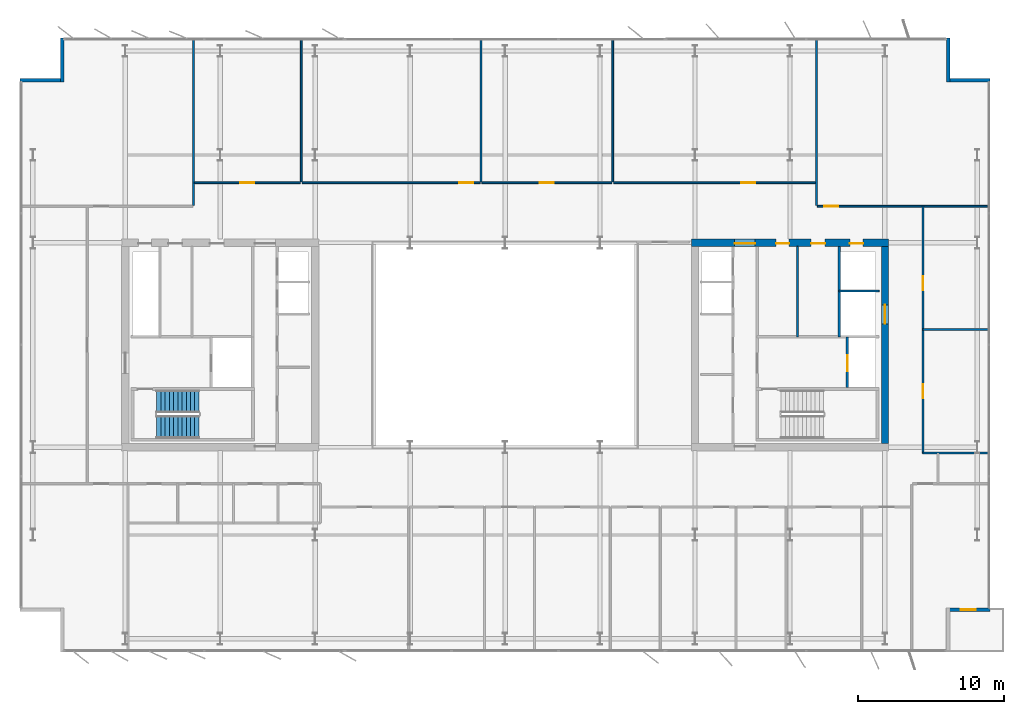
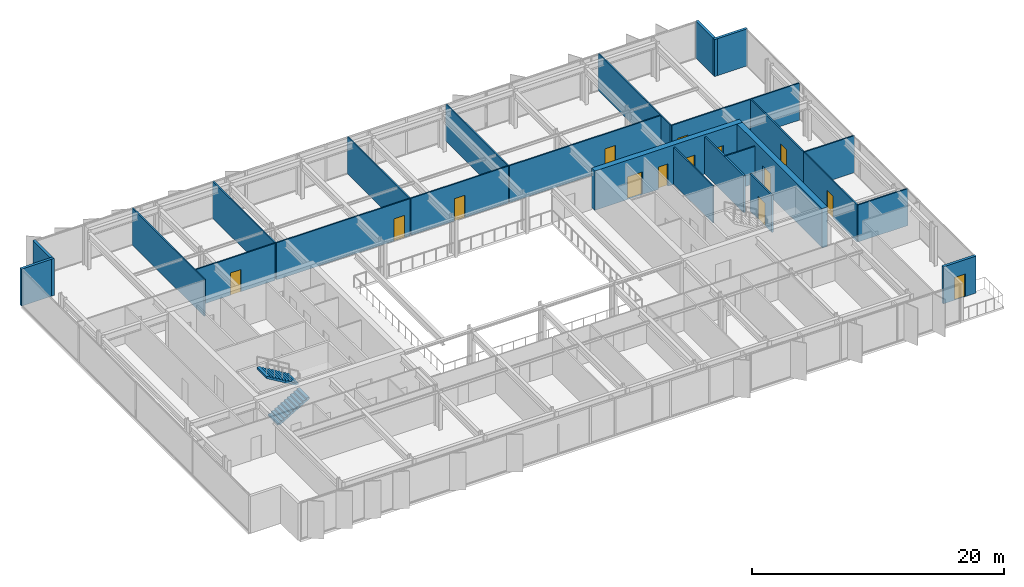
# One storey, part 19 of 24: 25 walls, 14 doors, 2 stair flights, 14 openings, 1 element without a shape of its own.
"""IFC4 building model written with IfcOpenShell, lengths in metres."""

from ifc_helpers import new_model, si_unit, direction, frame, frame_2d, origin, place, context, subcontext, project, spatial, polyline, rectangle, outline, extrude, material, layer, layer_set, type_object, element, fill, aggregate, save


model = new_model("IFC4")

# Units and contexts
model_context = context("Model", 3, precision=1e-05, world=origin(), true_north=direction((0.0, 1.0)))
body_context = subcontext(model_context, "Body", "Model", "MODEL_VIEW")
ifc_project = project(units=[si_unit("LENGTHUNIT", "METRE"), si_unit("AREAUNIT", "SQUARE_METRE"), si_unit("VOLUMEUNIT", "CUBIC_METRE"), si_unit("PLANEANGLEUNIT", "RADIAN"), si_unit("MASSUNIT", "GRAM", prefix="KILO")], contexts=[model_context])

# Site, building, storey
site_placement = place(None, origin())
site = spatial("IfcSite", under=ifc_project, at=site_placement, CompositionType="ELEMENT")
building_placement = place(site_placement, origin())
building = spatial("IfcBuilding", under=site, at=building_placement, Name="Putna Gate Headquarters", CompositionType="ELEMENT")
storey_placement = place(building_placement, frame((0.0, 0.0, 240.39990234375)))
storey = spatial("IfcBuildingStorey", under=building, at=storey_placement, Name="L60", CompositionType="ELEMENT", Elevation=240.39990234375)

# Wall, openings, doors
ifc_material_1 = material(Name="Concrete C50/60", Category="concrete")
ifc_layer_1 = layer(ifc_material_1, 0.5)
ifc_layer_set_1 = layer_set([ifc_layer_1], Name="Concrete C50/60")
wall_type_1 = type_object("IfcWallType", Name="WALL-CORE-500", PredefinedType="SHEAR", material=ifc_layer_set_1)
wall_1_placement = place(storey_placement, frame((51.75, 33.0, 0.0), z_axis=(0.0, 0.0, 1.0), x_axis=(1.0, 0.0, 0.0)))
wall_1 = element("IfcWall", 1, at=wall_1_placement, inside=storey, type_object=wall_type_1, Name="L60 EC Split Core Shear Wall N", PredefinedType="SHEAR", context=body_context, shape_type="SweptSolid", body=[
    extrude(rectangle(XDim=13.5, YDim=0.5, at=frame_2d((6.75, 0.0))), origin(), (0.0, 0.0, 1.0), 3.800048828125),
])
opening_1_placement = place(wall_1_placement, frame((2.969970703125, 0.0, 0.0)))
opening_1 = element("IfcOpeningElement", 2, at=opening_1_placement, cuts=wall_1, Name="Opening FDD-140", PredefinedType="OPENING", context=body_context, shape_type="SweptSolid", body=[
    extrude(rectangle(XDim=1.39990234375, YDim=2.199951171875, at=frame_2d((0.699951171875, 1.10009765625))), frame((0.0, 0.260009765625, 0.0), z_axis=(0.0, -1.0, 0.0), x_axis=(1.0, 0.0, 0.0)), (0.0, 0.0, 1.0), 0.52001953125),
])
opening_2_placement = place(wall_1_placement, frame((10.85009765625, 0.0, 0.0)))
opening_2 = element("IfcOpeningElement", 3, at=opening_2_placement, cuts=wall_1, Name="Opening RD-90", PredefinedType="OPENING", context=body_context, shape_type="SweptSolid", body=[
    extrude(rectangle(XDim=0.89990234375, YDim=2.14990234375, at=frame_2d((0.449951171875, 1.074951171875))), frame((0.0, 0.260009765625, 0.0), z_axis=(0.0, -1.0, 0.0), x_axis=(1.0, 0.0, 0.0)), (0.0, 0.0, 1.0), 0.52001953125),
])
opening_3_placement = place(wall_1_placement, frame((5.800048828125, 0.0, 0.0)))
opening_3 = element("IfcOpeningElement", 4, at=opening_3_placement, cuts=wall_1, Name="Opening IDS-90", PredefinedType="OPENING", context=body_context, shape_type="SweptSolid", body=[
    extrude(rectangle(XDim=0.89990234375, YDim=2.14990234375, at=frame_2d((0.449951171875, 1.074951171875))), frame((0.0, 0.260009765625, 0.0), z_axis=(0.0, -1.0, 0.0), x_axis=(1.0, 0.0, 0.0)), (0.0, 0.0, 1.0), 0.52001953125),
])
opening_4_placement = place(wall_1_placement, frame((8.199951171875, 0.0, 0.0)))
opening_4 = element("IfcOpeningElement", 5, at=opening_4_placement, cuts=wall_1, Name="Opening IDS-95", PredefinedType="OPENING", context=body_context, shape_type="SweptSolid", body=[
    extrude(rectangle(XDim=0.949951171875, YDim=2.14990234375, at=frame_2d((0.47509765625, 1.074951171875))), frame((0.0, 0.260009765625, 0.0), z_axis=(0.0, -1.0, 0.0), x_axis=(1.0, 0.0, 0.0)), (0.0, 0.0, 1.0), 0.52001953125),
])
ifc_material_2 = material(Name="Double steel fire door", Category="steel")
door_type_1 = type_object("IfcDoorType", Name="DOOR-FIRE-DBL-1400", OperationType="DOUBLE_DOOR_SINGLE_SWING", PredefinedType="DOOR", material=ifc_material_2)
door_1_placement = place(opening_1_placement, origin())
door_1 = element("IfcDoor", 6, at=door_1_placement, inside=storey, type_object=door_type_1, Name="L60 East Lift Lobby North Door", OperationType="DOUBLE_DOOR_SINGLE_SWING", OverallHeight=2.199951171875, OverallWidth=1.39990234375, PredefinedType="DOOR", context=body_context, shape_type="SweptSolid", body=[
    extrude(rectangle(XDim=1.39990234375, YDim=2.199951171875, at=frame_2d((0.699951171875, 1.10009765625))), frame((0.0, -0.02490234375, 0.0), z_axis=(0.0, -1.0, 0.0), x_axis=(1.0, 0.0, 0.0)), (0.0, 0.0, 1.0), 0.050048828125),
])
fill(opening_1, door_1)
ifc_material_3 = material(Name="Fire-rated utility door")
door_type_2 = type_object("IfcDoorType", Name="DOOR-INT-900", OperationType="NOTDEFINED", PredefinedType="DOOR", material=ifc_material_3)
door_2_placement = place(opening_3_placement, origin())
door_2 = element("IfcDoor", 7, at=door_2_placement, inside=storey, type_object=door_type_2, Name="L60 Telecoms Plant Door", OperationType="SINGLE_SWING_LEFT", OverallHeight=2.14990234375, OverallWidth=0.89990234375, PredefinedType="DOOR", context=body_context, shape_type="SweptSolid", body=[
    extrude(rectangle(XDim=0.89990234375, YDim=2.14990234375, at=frame_2d((0.449951171875, 1.074951171875))), frame((0.0, -0.02490234375, 0.0), z_axis=(0.0, -1.0, 0.0), x_axis=(1.0, 0.0, 0.0)), (0.0, 0.0, 1.0), 0.050048828125),
])
fill(opening_3, door_2)
ifc_material_4 = material(Name="Fire-rated service timber door", Category="wood")
door_type_3 = type_object("IfcDoorType", Name="DOOR-INT-950", OperationType="NOTDEFINED", PredefinedType="DOOR", material=ifc_material_4)
door_3_placement = place(opening_4_placement, origin())
door_3 = element("IfcDoor", 8, at=door_3_placement, inside=storey, type_object=door_type_3, Name="L60 Supplies Store Door", OperationType="SINGLE_SWING_RIGHT", OverallHeight=2.14990234375, OverallWidth=0.949951171875, PredefinedType="DOOR", context=body_context, shape_type="SweptSolid", body=[
    extrude(rectangle(XDim=0.949951171875, YDim=2.14990234375, at=frame_2d((0.47509765625, 1.074951171875))), frame((0.0, -0.02490234375, 0.0), z_axis=(0.0, -1.0, 0.0), x_axis=(1.0, 0.0, 0.0)), (0.0, 0.0, 1.0), 0.050048828125),
])
fill(opening_4, door_3)
ifc_material_5 = material(Name="Steel riser access fire door", Category="steel")
door_type_4 = type_object("IfcDoorType", Name="DOOR-RISER-900", OperationType="NOTDEFINED", PredefinedType="DOOR", material=ifc_material_5)
door_4_placement = place(opening_2_placement, origin())
door_4 = element("IfcDoor", 9, at=door_4_placement, inside=storey, type_object=door_type_4, Name="L60 East Riser Access Door", OperationType="SINGLE_SWING_LEFT", OverallHeight=2.14990234375, OverallWidth=0.89990234375, PredefinedType="DOOR", context=body_context, shape_type="SweptSolid", body=[
    extrude(rectangle(XDim=0.89990234375, YDim=2.14990234375, at=frame_2d((0.449951171875, 1.074951171875))), frame((0.0, -0.02490234375, 0.0), z_axis=(0.0, -1.0, 0.0), x_axis=(1.0, 0.0, 0.0)), (0.0, 0.0, 1.0), 0.050048828125),
])
fill(opening_2, door_4)

# Wall, opening, door
wall_2_placement = place(storey_placement, frame((65.0, 19.25, 0.0), z_axis=(0.0, 0.0, 1.0), x_axis=(0.0, 1.0, 0.0)))
wall_2 = element("IfcWall", 10, at=wall_2_placement, inside=storey, type_object=wall_type_1, Name="L60 EC Split Core Shear Wall E", PredefinedType="SHEAR", context=body_context, shape_type="SweptSolid", body=[
    extrude(rectangle(XDim=13.5, YDim=0.5, at=frame_2d((6.75, 0.0))), origin(), (0.0, 0.0, 1.0), 3.800048828125),
])
opening_5_placement = place(wall_2_placement, frame((8.199951171875, 0.0, 0.0)))
opening_5 = element("IfcOpeningElement", 11, at=opening_5_placement, cuts=wall_2, Name="Opening LD-2", PredefinedType="OPENING", context=body_context, shape_type="SweptSolid", body=[
    extrude(rectangle(XDim=1.300048828125, YDim=2.199951171875, at=frame_2d((0.64990234375, 1.10009765625))), frame((0.0, 0.260009765625, 0.0), z_axis=(0.0, -1.0, 0.0), x_axis=(1.0, 0.0, 0.0)), (0.0, 0.0, 1.0), 0.52001953125),
])
ifc_material_6 = material(Name="Heavy-duty goods lift sliding landing door")
door_type_5 = type_object("IfcDoorType", Name="DOOR-LIFT-1300", OperationType="DOUBLE_DOOR_SLIDING", PredefinedType="DOOR", material=ifc_material_6)
door_5_placement = place(opening_5_placement, origin())
door_5 = element("IfcDoor", 12, at=door_5_placement, inside=storey, type_object=door_type_5, Name="L60 Goods Lift Landing Door LD-15", OperationType="DOUBLE_DOOR_SLIDING", OverallHeight=2.199951171875, OverallWidth=1.300048828125, PredefinedType="DOOR", context=body_context, shape_type="SweptSolid", body=[
    extrude(rectangle(XDim=1.300048828125, YDim=2.199951171875, at=frame_2d((0.64990234375, 1.10009765625))), frame((0.0, 0.02490234375, 0.0), z_axis=(0.0, -1.0, 0.0), x_axis=(1.0, 0.0, 0.0)), (0.0, 0.0, 1.0), 0.050048828125),
])
fill(opening_5, door_5)

# Walls
ifc_material_7 = material(Name="Precast concrete C40/50", Category="concrete")
ifc_layer_2 = layer(ifc_material_7, 0.239990234375)
ifc_layer_set_2 = layer_set([ifc_layer_2], Name="Precast concrete C40/50")
wall_type_2 = type_object("IfcWallType", Name="WALL-EXT-TERR-240", PredefinedType="STANDARD", material=ifc_layer_set_2)
for number, where, z_axis, x_axis, name in (
    (13, (8.679931640625, 44.0, 0.0), (0.0, 0.0, 1.0), (0.0, 1.0, 0.0), "L60 Corner Notch Return Wall NW-V"),
    (14, (5.800048828125, 44.1201171875, 0.0), (0.0, 0.0, 1.0), (1.0, 0.0, 0.0), "L60 Corner Notch Return Wall NW-H"),
    (15, (69.320068359375, 47.0, 0.0), (0.0, 0.0, 1.0), (0.0, -1.0, 0.0), "L60 Corner Notch Return Wall NE-V"),
    (16, (69.199951171875, 44.1201171875, 0.0), (0.0, 0.0, 1.0), (1.0, 0.0, 0.0), "L60 Corner Notch Return Wall NE-H"),
):
    element("IfcWall", number, at=place(storey_placement, frame(where, z_axis=z_axis, x_axis=x_axis)), inside=storey, type_object=wall_type_2, Name=name, PredefinedType="STANDARD", context=body_context, shape_type="SweptSolid", body=[
        extrude(rectangle(XDim=3.0, YDim=0.239990234375, at=frame_2d((1.5, 0.0))), origin(), (0.0, 0.0, 1.0), 3.580078125),
    ])

# Wall, opening, door
wall_3_placement = place(storey_placement, frame((72.199951171875, 7.8798828125, 0.0), z_axis=(0.0, 0.0, 1.0), x_axis=(-1.0, 0.0, 0.0)))
wall_3 = element("IfcWall", 17, at=wall_3_placement, inside=storey, type_object=wall_type_2, Name="L60 Corner Notch Return Wall SE-H", PredefinedType="STANDARD", context=body_context, shape_type="SweptSolid", body=[
    extrude(rectangle(XDim=3.0, YDim=0.239990234375, at=frame_2d((1.5, 0.0))), origin(), (0.0, 0.0, 1.0), 3.580078125),
])
opening_6_placement = place(wall_3_placement, frame((1.0, 0.0, 0.0)))
opening_6 = element("IfcOpeningElement", 18, at=opening_6_placement, cuts=wall_3, Name="Opening TRD-1", PredefinedType="OPENING", context=body_context, shape_type="SweptSolid", body=[
    extrude(rectangle(XDim=1.0, YDim=2.199951171875, at=frame_2d((0.5, 1.10009765625))), frame((0.0, 0.1298828125, 0.0), z_axis=(0.0, -1.0, 0.0), x_axis=(1.0, 0.0, 0.0)), (0.0, 0.0, 1.0), 0.260009765625),
])
ifc_material_8 = material(Name="Thermally broken bronze glazed terrace door")
door_type_6 = type_object("IfcDoorType", Name="DOOR-TERR-EXT-1000", OperationType="NOTDEFINED", PredefinedType="DOOR", material=ifc_material_8)
door_6_placement = place(opening_6_placement, origin())
door_6 = element("IfcDoor", 19, at=door_6_placement, inside=storey, type_object=door_type_6, Name="L60 Spiral Sky Terrace Door SE", OperationType="SINGLE_SWING_RIGHT", OverallHeight=2.199951171875, OverallWidth=1.0, PredefinedType="DOOR", context=body_context, shape_type="SweptSolid", body=[
    extrude(rectangle(XDim=1.0, YDim=2.199951171875, at=frame_2d((0.5, 1.10009765625))), frame((0.0, 0.02490234375, 0.0), z_axis=(0.0, -1.0, 0.0), x_axis=(1.0, 0.0, 0.0)), (0.0, 0.0, 1.0), 0.050048828125),
])
fill(opening_6, door_6)

# Walls
ifc_material_9 = material(Name="Acoustic gypsum board on metal stud")
ifc_layer_3 = layer(ifc_material_9, 0.1201171875)
ifc_layer_set_3 = layer_set([ifc_layer_3], Name="Acoustic gypsum board on metal stud")
wall_type_3 = type_object("IfcWallType", Name="WALL-PART-120", PredefinedType="PARTITIONING", material=ifc_layer_set_3)
wall_4_placement = place(storey_placement, frame((17.682373046875, 35.56005859375, 0.0), z_axis=(0.0, 0.0, 1.0), x_axis=(0.0, 1.0, 0.0)))
element("IfcWall", 20, at=wall_4_placement, inside=storey, type_object=wall_type_3, Name="L60 Interior Wall PART-L60-NB-DIV-01", PredefinedType="PARTITIONING", context=body_context, shape_type="SweptSolid", body=[
    extrude(rectangle(XDim=11.419921875, YDim=0.1201171875, at=frame_2d((5.7099609375, 0.0))), origin(), (0.0, 0.0, 1.0), 3.580078125),
])
for number, where, z_axis, x_axis, name in (
    (21, (25.045654296875, 37.159912109375, 0.0), (0.0, 0.0, 1.0), (0.0, 1.0, 0.0), "L60 Interior Wall PART-L60-NB-DIV-02"),
    (22, (37.355712890625, 37.159912109375, 0.0), (0.0, 0.0, 1.0), (0.0, 1.0, 0.0), "L60 Interior Wall PART-L60-NB-DIV-03"),
    (23, (46.363525390625, 37.159912109375, 0.0), (0.0, 0.0, 1.0), (0.0, 1.0, 0.0), "L60 Interior Wall PART-L60-NB-DIV-04"),
):
    element("IfcWall", number, at=place(storey_placement, frame(where, z_axis=z_axis, x_axis=x_axis)), inside=storey, type_object=wall_type_3, Name=name, PredefinedType="PARTITIONING", context=body_context, shape_type="SweptSolid", body=[
        extrude(rectangle(XDim=9.820068359375, YDim=0.1201171875, at=frame_2d((4.91015625, 0.0))), origin(), (0.0, 0.0, 1.0), 3.580078125),
    ])
wall_5_placement = place(storey_placement, frame((60.317626953125, 35.56005859375, 0.0), z_axis=(0.0, 0.0, 1.0), x_axis=(0.0, 1.0, 0.0)))
element("IfcWall", 24, at=wall_5_placement, inside=storey, type_object=wall_type_3, Name="L60 Interior Wall PART-L60-NB-DIV-05", PredefinedType="PARTITIONING", context=body_context, shape_type="SweptSolid", body=[
    extrude(rectangle(XDim=11.419921875, YDim=0.1201171875, at=frame_2d((5.7099609375, 0.0))), origin(), (0.0, 0.0, 1.0), 3.580078125),
])
wall_6_placement = place(storey_placement, frame((67.60009765625, 27.050048828125, 0.0), z_axis=(0.0, 0.0, 1.0), x_axis=(1.0, 0.0, 0.0)))
element("IfcWall", 25, at=wall_6_placement, inside=storey, type_object=wall_type_3, Name="L60 Interior Wall PART-L60-EW-DIV-1", PredefinedType="PARTITIONING", context=body_context, shape_type="SweptSolid", body=[
    extrude(rectangle(XDim=4.579833984375, YDim=0.1201171875, at=frame_2d((2.2900390625, 0.0))), origin(), (0.0, 0.0, 1.0), 3.580078125),
])
ifc_material_10 = material(Name="Fire-rated shaftwall gypsum board on metal stud")
ifc_layer_4 = layer(ifc_material_10, 0.1201171875)
ifc_layer_set_4 = layer_set([ifc_layer_4], Name="Fire-rated shaftwall gypsum board on metal stud")
wall_type_4 = type_object("IfcWallType", Name="WALL-PART-120-EI120", PredefinedType="PARTITIONING", material=ifc_layer_set_4)
wall_7_placement = place(storey_placement, frame((61.8701171875, 29.699951171875, 0.0), z_axis=(0.0, 0.0, 1.0), x_axis=(1.0, 0.0, 0.0)))
element("IfcWall", 26, at=wall_7_placement, inside=storey, type_object=wall_type_4, Name="L60 Interior Wall CWINT-L60-EC-LF15-N", PredefinedType="PARTITIONING", context=body_context, shape_type="SweptSolid", body=[
    extrude(rectangle(XDim=2.72998046875, YDim=0.1201171875, at=frame_2d((1.364990234375, 0.0))), origin(), (0.0, 0.0, 1.0), 3.580078125),
])
ifc_material_11 = material(Name="Fire-rated gypsum board on metal stud")
ifc_layer_5 = layer(ifc_material_11, 0.1201171875)
ifc_layer_set_5 = layer_set([ifc_layer_5], Name="Fire-rated gypsum board on metal stud")
wall_type_5 = type_object("IfcWallType", Name="WALL-PART-120-RATED", PredefinedType="PARTITIONING", material=ifc_layer_set_5)
wall_8_placement = place(storey_placement, frame((59.02001953125, 26.56005859375, 0.0), z_axis=(0.0, 0.0, 1.0), x_axis=(0.0, 1.0, 0.0)))
element("IfcWall", 27, at=wall_8_placement, inside=storey, type_object=wall_type_5, Name="L60 Interior Wall CWINT-L60-EC-K1-DIV", PredefinedType="PARTITIONING", context=body_context, shape_type="SweptSolid", body=[
    extrude(rectangle(XDim=6.18994140625, YDim=0.1201171875, at=frame_2d((3.094970703125, 0.0))), origin(), (0.0, 0.0, 1.0), 3.580078125),
])

# Wall, opening, door
wall_9_placement = place(storey_placement, frame((17.7421875, 37.10009765625, 0.0), z_axis=(0.0, 0.0, 1.0), x_axis=(1.0, 0.0, 0.0)))
wall_9 = element("IfcWall", 28, at=wall_9_placement, inside=storey, type_object=wall_type_5, Name="L60 Interior Wall PART-L60-NB-CW-02", PredefinedType="PARTITIONING", context=body_context, shape_type="SweptSolid", body=[
    extrude(rectangle(XDim=7.243408203125, YDim=0.1201171875, at=frame_2d((3.62158203125, 0.0))), origin(), (0.0, 0.0, 1.0), 3.580078125),
])
opening_7_placement = place(wall_9_placement, frame((3.146728515625, 0.0, 0.0)))
opening_7 = element("IfcOpeningElement", 29, at=opening_7_placement, cuts=wall_9, Name="Opening FD-95", PredefinedType="OPENING", context=body_context, shape_type="SweptSolid", body=[
    extrude(rectangle(XDim=0.949951171875, YDim=2.14990234375, at=frame_2d((0.47509765625, 1.074951171875))), frame((0.0, 0.070068359375, 0.0), z_axis=(0.0, -1.0, 0.0), x_axis=(1.0, 0.0, 0.0)), (0.0, 0.0, 1.0), 0.14013671875),
])
ifc_material_12 = material(Name="Acoustic timber fire door", Category="wood")
door_type_7 = type_object("IfcDoorType", Name="DOOR-FIRE-950", OperationType="NOTDEFINED", PredefinedType="DOOR", material=ifc_material_12)
door_7_placement = place(opening_7_placement, origin())
door_7 = element("IfcDoor", 30, at=door_7_placement, inside=storey, type_object=door_type_7, Name="L60 Conference Meeting Room 4 Door", OperationType="SINGLE_SWING_LEFT", OverallHeight=2.14990234375, OverallWidth=0.949951171875, PredefinedType="DOOR", context=body_context, shape_type="SweptSolid", body=[
    extrude(rectangle(XDim=0.949951171875, YDim=2.14990234375, at=frame_2d((0.47509765625, 1.074951171875))), frame((0.0, 0.02490234375, 0.0), z_axis=(0.0, -1.0, 0.0), x_axis=(1.0, 0.0, 0.0)), (0.0, 0.0, 1.0), 0.050048828125),
])
fill(opening_7, door_7)

wall_10_placement = place(storey_placement, frame((25.105712890625, 37.10009765625, 0.0), z_axis=(0.0, 0.0, 1.0), x_axis=(1.0, 0.0, 0.0)))
wall_10 = element("IfcWall", 31, at=wall_10_placement, inside=storey, type_object=wall_type_5, Name="L60 Interior Wall PART-L60-NB-CW-03", PredefinedType="PARTITIONING", context=body_context, shape_type="SweptSolid", body=[
    extrude(rectangle(XDim=12.18994140625, YDim=0.1201171875, at=frame_2d((6.094970703125, 0.0))), origin(), (0.0, 0.0, 1.0), 3.580078125),
])
opening_8_placement = place(wall_10_placement, frame((10.760009765625, 0.0, 0.0)))
opening_8 = element("IfcOpeningElement", 32, at=opening_8_placement, cuts=wall_10, Name="Opening FD-95", PredefinedType="OPENING", context=body_context, shape_type="SweptSolid", body=[
    extrude(rectangle(XDim=0.949951171875, YDim=2.14990234375, at=frame_2d((0.47509765625, 1.074951171875))), frame((0.0, 0.070068359375, 0.0), z_axis=(0.0, -1.0, 0.0), x_axis=(1.0, 0.0, 0.0)), (0.0, 0.0, 1.0), 0.14013671875),
])
door_8_placement = place(opening_8_placement, origin())
door_8 = element("IfcDoor", 33, at=door_8_placement, inside=storey, type_object=door_type_7, Name="L60 Conference Meeting Room 5 Door", OperationType="SINGLE_SWING_RIGHT", OverallHeight=2.14990234375, OverallWidth=0.949951171875, PredefinedType="DOOR", context=body_context, shape_type="SweptSolid", body=[
    extrude(rectangle(XDim=0.949951171875, YDim=2.14990234375, at=frame_2d((0.47509765625, 1.074951171875))), frame((0.0, 0.02490234375, 0.0), z_axis=(0.0, -1.0, 0.0), x_axis=(1.0, 0.0, 0.0)), (0.0, 0.0, 1.0), 0.050048828125),
])
fill(opening_8, door_8)

wall_11_placement = place(storey_placement, frame((37.41552734375, 37.10009765625, 0.0), z_axis=(0.0, 0.0, 1.0), x_axis=(1.0, 0.0, 0.0)))
wall_11 = element("IfcWall", 34, at=wall_11_placement, inside=storey, type_object=wall_type_5, Name="L60 Interior Wall PART-L60-NB-CW-04", PredefinedType="PARTITIONING", context=body_context, shape_type="SweptSolid", body=[
    extrude(rectangle(XDim=8.887939453125, YDim=0.1201171875, at=frame_2d((4.44384765625, 0.0))), origin(), (0.0, 0.0, 1.0), 3.580078125),
])
opening_9_placement = place(wall_11_placement, frame((3.968994140625, 0.0, 0.0)))
opening_9 = element("IfcOpeningElement", 35, at=opening_9_placement, cuts=wall_11, Name="Opening FD-95", PredefinedType="OPENING", context=body_context, shape_type="SweptSolid", body=[
    extrude(rectangle(XDim=0.949951171875, YDim=2.14990234375, at=frame_2d((0.47509765625, 1.074951171875))), frame((0.0, 0.070068359375, 0.0), z_axis=(0.0, -1.0, 0.0), x_axis=(1.0, 0.0, 0.0)), (0.0, 0.0, 1.0), 0.14013671875),
])
door_9_placement = place(opening_9_placement, origin())
door_9 = element("IfcDoor", 36, at=door_9_placement, inside=storey, type_object=door_type_7, Name="L60 Conference Meeting Room 6 Door", OperationType="SINGLE_SWING_LEFT", OverallHeight=2.14990234375, OverallWidth=0.949951171875, PredefinedType="DOOR", context=body_context, shape_type="SweptSolid", body=[
    extrude(rectangle(XDim=0.949951171875, YDim=2.14990234375, at=frame_2d((0.47509765625, 1.074951171875))), frame((0.0, 0.02490234375, 0.0), z_axis=(0.0, -1.0, 0.0), x_axis=(1.0, 0.0, 0.0)), (0.0, 0.0, 1.0), 0.050048828125),
])
fill(opening_9, door_9)

wall_12_placement = place(storey_placement, frame((46.423583984375, 37.10009765625, 0.0), z_axis=(0.0, 0.0, 1.0), x_axis=(1.0, 0.0, 0.0)))
wall_12 = element("IfcWall", 37, at=wall_12_placement, inside=storey, type_object=wall_type_5, Name="L60 Interior Wall PART-L60-NB-CW-05", PredefinedType="PARTITIONING", context=body_context, shape_type="SweptSolid", body=[
    extrude(rectangle(XDim=13.834228515625, YDim=0.1201171875, at=frame_2d((6.9169921875, 0.0))), origin(), (0.0, 0.0, 1.0), 3.580078125),
])
opening_10_placement = place(wall_12_placement, frame((8.73388671875, 0.0, 0.0)))
opening_10 = element("IfcOpeningElement", 38, at=opening_10_placement, cuts=wall_12, Name="Opening FD-95", PredefinedType="OPENING", context=body_context, shape_type="SweptSolid", body=[
    extrude(rectangle(XDim=0.949951171875, YDim=2.14990234375, at=frame_2d((0.47509765625, 1.074951171875))), frame((0.0, 0.070068359375, 0.0), z_axis=(0.0, -1.0, 0.0), x_axis=(1.0, 0.0, 0.0)), (0.0, 0.0, 1.0), 0.14013671875),
])
door_10_placement = place(opening_10_placement, origin())
door_10 = element("IfcDoor", 39, at=door_10_placement, inside=storey, type_object=door_type_7, Name="L60 Collaborative Breakout Lounge 1 Door", OperationType="SINGLE_SWING_RIGHT", OverallHeight=2.14990234375, OverallWidth=0.949951171875, PredefinedType="DOOR", context=body_context, shape_type="SweptSolid", body=[
    extrude(rectangle(XDim=0.949951171875, YDim=2.14990234375, at=frame_2d((0.47509765625, 1.074951171875))), frame((0.0, 0.02490234375, 0.0), z_axis=(0.0, -1.0, 0.0), x_axis=(1.0, 0.0, 0.0)), (0.0, 0.0, 1.0), 0.050048828125),
])
fill(opening_10, door_10)

wall_13_placement = place(storey_placement, frame((60.377685546875, 35.5, 0.0), z_axis=(0.0, 0.0, 1.0), x_axis=(1.0, 0.0, 0.0)))
wall_13 = element("IfcWall", 40, at=wall_13_placement, inside=storey, type_object=wall_type_5, Name="L60 Interior Wall PART-L60-NB-CW-06", PredefinedType="PARTITIONING", context=body_context, shape_type="SweptSolid", body=[
    extrude(rectangle(XDim=11.642333984375, YDim=0.1201171875, at=frame_2d((5.8212890625, 0.0))), origin(), (0.0, 0.0, 1.0), 3.580078125),
])
opening_11_placement = place(wall_13_placement, frame((0.47998046875, 0.0, 0.0)))
opening_11 = element("IfcOpeningElement", 41, at=opening_11_placement, cuts=wall_13, Name="Opening FD-95", PredefinedType="OPENING", context=body_context, shape_type="SweptSolid", body=[
    extrude(rectangle(XDim=0.949951171875, YDim=2.14990234375, at=frame_2d((0.47509765625, 1.074951171875))), frame((0.0, 0.070068359375, 0.0), z_axis=(0.0, -1.0, 0.0), x_axis=(1.0, 0.0, 0.0)), (0.0, 0.0, 1.0), 0.14013671875),
])
door_11_placement = place(opening_11_placement, origin())
door_11 = element("IfcDoor", 42, at=door_11_placement, inside=storey, type_object=door_type_7, Name="L60 Conference Meeting Room 1 Door", OperationType="SINGLE_SWING_LEFT", OverallHeight=2.14990234375, OverallWidth=0.949951171875, PredefinedType="DOOR", context=body_context, shape_type="SweptSolid", body=[
    extrude(rectangle(XDim=0.949951171875, YDim=2.14990234375, at=frame_2d((0.47509765625, 1.074951171875))), frame((0.0, 0.02490234375, 0.0), z_axis=(0.0, -1.0, 0.0), x_axis=(1.0, 0.0, 0.0)), (0.0, 0.0, 1.0), 0.050048828125),
])
fill(opening_11, door_11)

# Wall
wall_14_placement = place(storey_placement, frame((67.60009765625, 18.60009765625, 0.0), z_axis=(0.0, 0.0, 1.0), x_axis=(1.0, 0.0, 0.0)))
element("IfcWall", 43, at=wall_14_placement, inside=storey, type_object=wall_type_5, Name="L60 Interior Wall PART-L60-EW-S-BOUND", PredefinedType="PARTITIONING", context=body_context, shape_type="SweptSolid", body=[
    extrude(rectangle(XDim=4.579833984375, YDim=0.1201171875, at=frame_2d((2.2900390625, 0.0))), origin(), (0.0, 0.0, 1.0), 3.580078125),
])

# Wall, opening, door
wall_15_placement = place(storey_placement, frame((67.60009765625, 18.60009765625, 0.0), z_axis=(0.0, 0.0, 1.0), x_axis=(0.0, 1.0, 0.0)))
wall_15 = element("IfcWall", 44, at=wall_15_placement, inside=storey, type_object=wall_type_5, Name="L60 Interior Wall PART-L60-EW-CW-1", PredefinedType="PARTITIONING", context=body_context, shape_type="SweptSolid", body=[
    extrude(rectangle(XDim=8.449951171875, YDim=0.1201171875, at=frame_2d((4.22509765625, 0.0))), origin(), (0.0, 0.0, 1.0), 3.580078125),
])
opening_12_placement = place(wall_15_placement, frame((3.75, 0.0, 0.0)))
opening_12 = element("IfcOpeningElement", 45, at=opening_12_placement, cuts=wall_15, Name="Opening FD-95", PredefinedType="OPENING", context=body_context, shape_type="SweptSolid", body=[
    extrude(rectangle(XDim=0.949951171875, YDim=2.14990234375, at=frame_2d((0.47509765625, 1.074951171875))), frame((0.0, 0.070068359375, 0.0), z_axis=(0.0, -1.0, 0.0), x_axis=(1.0, 0.0, 0.0)), (0.0, 0.0, 1.0), 0.14013671875),
])
door_12_placement = place(opening_12_placement, origin())
door_12 = element("IfcDoor", 46, at=door_12_placement, inside=storey, type_object=door_type_7, Name="L60 East Advisory Office 1 Door", OperationType="SINGLE_SWING_RIGHT", OverallHeight=2.14990234375, OverallWidth=0.949951171875, PredefinedType="DOOR", context=body_context, shape_type="SweptSolid", body=[
    extrude(rectangle(XDim=0.949951171875, YDim=2.14990234375, at=frame_2d((0.47509765625, 1.074951171875))), frame((0.0, 0.02490234375, 0.0), z_axis=(0.0, -1.0, 0.0), x_axis=(1.0, 0.0, 0.0)), (0.0, 0.0, 1.0), 0.050048828125),
])
fill(opening_12, door_12)

wall_16_placement = place(storey_placement, frame((67.60009765625, 27.050048828125, 0.0), z_axis=(0.0, 0.0, 1.0), x_axis=(0.0, 1.0, 0.0)))
wall_16 = element("IfcWall", 47, at=wall_16_placement, inside=storey, type_object=wall_type_5, Name="L60 Interior Wall PART-L60-EW-CW-2", PredefinedType="PARTITIONING", context=body_context, shape_type="SweptSolid", body=[
    extrude(rectangle(XDim=8.449951171875, YDim=0.1201171875, at=frame_2d((4.22509765625, 0.0))), origin(), (0.0, 0.0, 1.0), 3.580078125),
])
opening_13_placement = place(wall_16_placement, frame((2.699951171875, 0.0, 0.0)))
opening_13 = element("IfcOpeningElement", 48, at=opening_13_placement, cuts=wall_16, Name="Opening FD-95", PredefinedType="OPENING", context=body_context, shape_type="SweptSolid", body=[
    extrude(rectangle(XDim=0.949951171875, YDim=2.14990234375, at=frame_2d((0.47509765625, 1.074951171875))), frame((0.0, 0.070068359375, 0.0), z_axis=(0.0, -1.0, 0.0), x_axis=(1.0, 0.0, 0.0)), (0.0, 0.0, 1.0), 0.14013671875),
])
door_13_placement = place(opening_13_placement, origin())
door_13 = element("IfcDoor", 49, at=door_13_placement, inside=storey, type_object=door_type_7, Name="L60 East Horizon Conference Room 2 Door", OperationType="SINGLE_SWING_LEFT", OverallHeight=2.14990234375, OverallWidth=0.949951171875, PredefinedType="DOOR", context=body_context, shape_type="SweptSolid", body=[
    extrude(rectangle(XDim=0.949951171875, YDim=2.14990234375, at=frame_2d((0.47509765625, 1.074951171875))), frame((0.0, 0.02490234375, 0.0), z_axis=(0.0, -1.0, 0.0), x_axis=(1.0, 0.0, 0.0)), (0.0, 0.0, 1.0), 0.050048828125),
])
fill(opening_13, door_13)

ifc_material_13 = material(Name="Concrete C40/50", Category="concrete")
ifc_layer_6 = layer(ifc_material_13, 0.159912109375)
ifc_layer_set_6 = layer_set([ifc_layer_6], Name="Concrete C40/50")
wall_type_6 = type_object("IfcWallType", Name="WALL-SHAFT-160", PredefinedType="STANDARD", material=ifc_layer_set_6)
wall_17_placement = place(storey_placement, frame((62.429931640625, 23.090087890625, 0.0), z_axis=(0.0, 0.0, 1.0), x_axis=(0.0, 1.0, 0.0)))
wall_17 = element("IfcWall", 50, at=wall_17_placement, inside=storey, type_object=wall_type_6, Name="L60 Interior Wall CWINT-L60-EC-LF14-W", PredefinedType="STANDARD", context=body_context, shape_type="SweptSolid", body=[
    extrude(rectangle(XDim=3.469970703125, YDim=0.159912109375, at=frame_2d((1.73486328125, 0.0))), origin(), (0.0, 0.0, 1.0), 3.580078125),
])
opening_14_placement = place(wall_17_placement, frame((1.10009765625, 0.0, 0.0)))
opening_14 = element("IfcOpeningElement", 51, at=opening_14_placement, cuts=wall_17, Name="Opening LD-1", PredefinedType="OPENING", context=body_context, shape_type="SweptSolid", body=[
    extrude(rectangle(XDim=1.10009765625, YDim=2.199951171875, at=frame_2d((0.550048828125, 1.10009765625))), frame((0.0, 0.08984375, 0.0), z_axis=(0.0, -1.0, 0.0), x_axis=(1.0, 0.0, 0.0)), (0.0, 0.0, 1.0), 0.179931640625),
])
ifc_material_14 = material(Name="Brushed bronze stainless lift landing door")
door_type_8 = type_object("IfcDoorType", Name="DOOR-LIFT-1100", OperationType="DOUBLE_DOOR_SLIDING", PredefinedType="DOOR", material=ifc_material_14)
door_14_placement = place(opening_14_placement, origin())
door_14 = element("IfcDoor", 52, at=door_14_placement, inside=storey, type_object=door_type_8, Name="L60 Lift Landing Door LD-14", OperationType="DOUBLE_DOOR_SLIDING", OverallHeight=2.199951171875, OverallWidth=1.10009765625, PredefinedType="DOOR", context=body_context, shape_type="SweptSolid", body=[
    extrude(rectangle(XDim=1.10009765625, YDim=2.199951171875, at=frame_2d((0.550048828125, 1.10009765625))), frame((0.0, 0.02490234375, 0.0), z_axis=(0.0, -1.0, 0.0), x_axis=(1.0, 0.0, 0.0)), (0.0, 0.0, 1.0), 0.050048828125),
])
fill(opening_14, door_14)

# Wall
wall_18_placement = place(storey_placement, frame((61.8701171875, 26.56005859375, 0.0), z_axis=(0.0, 0.0, 1.0), x_axis=(0.0, 1.0, 0.0)))
element("IfcWall", 53, at=wall_18_placement, inside=storey, type_object=wall_type_6, Name="L60 Interior Wall CWINT-L60-EC-LF15-W", PredefinedType="STANDARD", context=body_context, shape_type="SweptSolid", body=[
    extrude(rectangle(XDim=6.18994140625, YDim=0.159912109375, at=frame_2d((3.094970703125, 0.0))), origin(), (0.0, 0.0, 1.0), 3.580078125),
])

# Stair, stair flights
stair_type = type_object("IfcStairType", Name="STAIR-ST1", PredefinedType="HALF_TURN_STAIR", material=ifc_material_13)
stair_placement = place(storey_placement, origin())
stair = element("IfcStair", 54, at=stair_placement, inside=storey, type_object=stair_type, Name="L60 West Core Exit Stair ST1", PredefinedType="HALF_TURN_STAIR")
stair_flight_type = type_object("IfcStairFlightType", Name="FLIGHT-ST1", PredefinedType="STRAIGHT", material=ifc_material_13)
stair_flight_1_placement = place(storey_placement, frame((15.14990234375, 20.375, 0.0), z_axis=(0.0, 0.0, 1.0), x_axis=(1.0, 0.0, 0.0)))
stair_flight_1 = element("IfcStairFlight", 55, at=stair_flight_1_placement, type_object=stair_flight_type, Name="ST1 flight 1", NumberOfRisers=11, NumberOfTreads=10, PredefinedType="STRAIGHT", RiserHeight=0.172727273, TreadLength=0.29, context=body_context, shape_type="SweptSolid", body=[
    extrude(outline(polyline([(0.0, 0.0), (0.0, 0.172607421875), (0.2900390625, 0.172607421875), (0.2900390625, 0.345458984375), (0.580078125, 0.345458984375), (0.580078125, 0.51806640625), (0.8701171875, 0.51806640625), (0.8701171875, 0.69091796875), (1.159912109375, 0.69091796875), (1.159912109375, 0.863525390625), (1.449951171875, 0.863525390625), (1.449951171875, 1.036376953125), (1.739990234375, 1.036376953125), (1.739990234375, 1.208984375), (2.030029296875, 1.208984375), (2.030029296875, 1.3818359375), (2.320068359375, 1.3818359375), (2.320068359375, 1.554443359375), (2.610107421875, 1.554443359375), (2.610107421875, 1.727294921875), (2.89990234375, 1.727294921875), (2.89990234375, 1.89990234375), (2.89990234375, 1.552734375), (0.29296875, 0.0), (0.0, 0.0)])), frame((0.0, 0.77490234375, 0.0), z_axis=(0.0, -1.0, 0.0), x_axis=(1.0, 0.0, 0.0)), (0.0, 0.0, 1.0), 1.550048828125),
])
stair_flight_2_placement = place(storey_placement, frame((18.050048828125, 22.125, 1.900146484375), z_axis=(0.0, 0.0, 1.0), x_axis=(-1.0, 0.0, 0.0)))
stair_flight_2 = element("IfcStairFlight", 56, at=stair_flight_2_placement, type_object=stair_flight_type, Name="ST1 flight 2", NumberOfRisers=11, NumberOfTreads=10, PredefinedType="STRAIGHT", RiserHeight=0.172727273, TreadLength=0.29, context=body_context, shape_type="SweptSolid", body=[
    extrude(outline(polyline([(0.0, 0.0), (0.0, 0.172607421875), (0.2900390625, 0.172607421875), (0.2900390625, 0.345458984375), (0.580078125, 0.345458984375), (0.580078125, 0.51806640625), (0.8701171875, 0.51806640625), (0.8701171875, 0.69091796875), (1.159912109375, 0.69091796875), (1.159912109375, 0.863525390625), (1.449951171875, 0.863525390625), (1.449951171875, 1.036376953125), (1.739990234375, 1.036376953125), (1.739990234375, 1.208984375), (2.030029296875, 1.208984375), (2.030029296875, 1.3818359375), (2.320068359375, 1.3818359375), (2.320068359375, 1.554443359375), (2.610107421875, 1.554443359375), (2.610107421875, 1.727294921875), (2.89990234375, 1.727294921875), (2.89990234375, 1.89990234375), (2.89990234375, 1.552734375), (0.29296875, 0.0), (0.0, 0.0)])), frame((0.0, 0.77490234375, 0.0), z_axis=(0.0, -1.0, 0.0), x_axis=(1.0, 0.0, 0.0)), (0.0, 0.0, 1.0), 1.550048828125),
])
aggregate(stair, [stair_flight_1, stair_flight_2])

save(model, "model.ifc")
